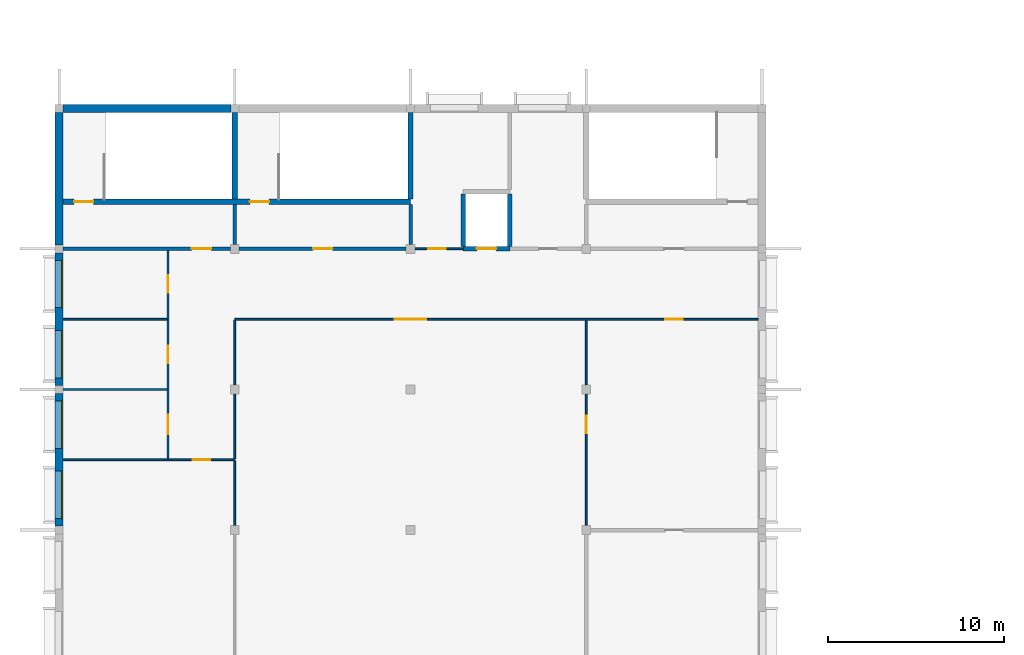
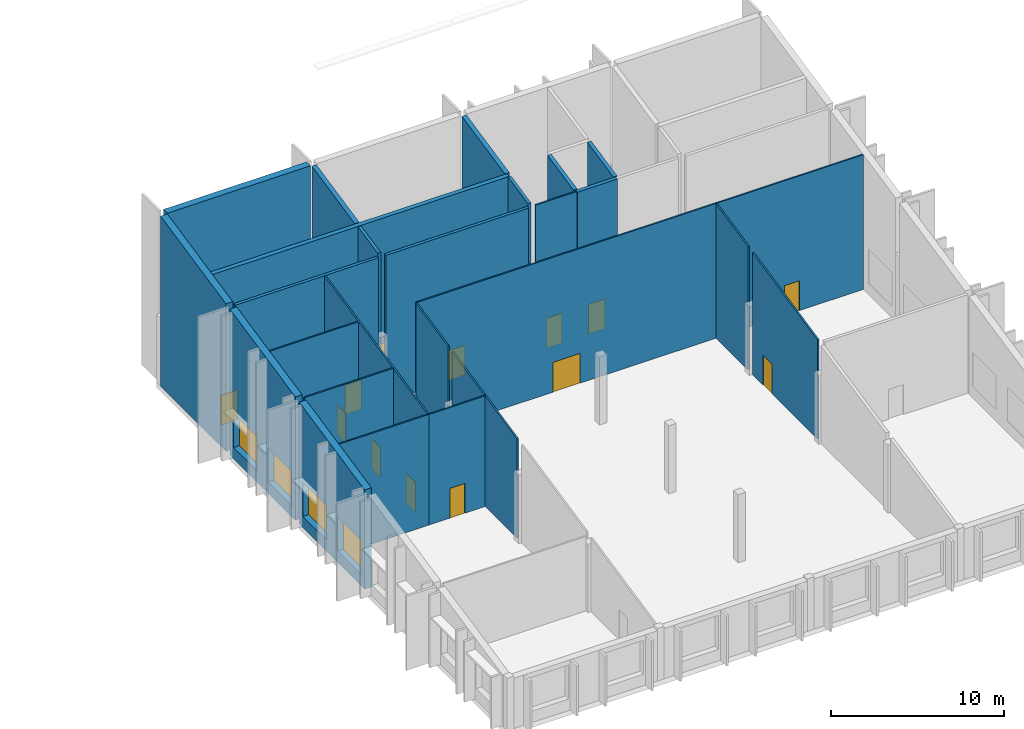
# One storey, part 39 of 69: 26 walls, 13 doors, 4 windows, 17 openings.
"""IFC4 building model written with IfcOpenShell, lengths in metres."""

from ifc_helpers import new_model, si_unit, direction, frame, frame_2d, origin, place, context, subcontext, project, spatial, polyline, rectangle, outline, extrude, material, layer, layer_set, type_object, element, fill, save


model = new_model("IFC4")

# Units and contexts
model_context = context("Model", 3, precision=1e-05, world=origin(), true_north=direction((0.0, 1.0)))
body_context = subcontext(model_context, "Body", "Model", "MODEL_VIEW")
ifc_project = project(units=[si_unit("LENGTHUNIT", "METRE"), si_unit("AREAUNIT", "SQUARE_METRE"), si_unit("VOLUMEUNIT", "CUBIC_METRE"), si_unit("PLANEANGLEUNIT", "RADIAN"), si_unit("MASSUNIT", "GRAM", prefix="KILO")], contexts=[model_context])

# Site, building, storey
site_placement = place(None, origin())
site = spatial("IfcSite", under=ifc_project, at=site_placement, CompositionType="ELEMENT")
building_placement = place(site_placement, origin())
building = spatial("IfcBuilding", under=site, at=building_placement, Name="Okhra Congress Centre", CompositionType="ELEMENT")
storey_placement = place(building_placement, frame((0.0, 0.0, 16.800048828125)))
storey = spatial("IfcBuildingStorey", under=building, at=storey_placement, Name="L03", CompositionType="ELEMENT", Elevation=16.800048828125)

# Wall, openings, windows
ifc_material_1 = material(Name="Insulated metal panel on steel stud (mineral wool, vapour barrier)", Category="steel")
ifc_layer_1 = layer(ifc_material_1, 0.449951171875)
ifc_layer_set_1 = layer_set([ifc_layer_1], Name="Insulated wall 450")
wall_type_1 = type_object("IfcWallType", Name="Insulated wall 450", PredefinedType="SOLIDWALL", material=ifc_layer_set_1)
wall_1_placement = place(storey_placement, frame((6.0, 67.77490234375, 0.0), z_axis=(0.0, 0.0, 1.0), x_axis=(0.0, -1.0, 0.0)))
wall_1 = element("IfcWall", 1, at=wall_1_placement, inside=storey, type_object=wall_type_1, Name="RS.WALL.L03.27", PredefinedType="SOLIDWALL", context=body_context, shape_type="SweptSolid", body=[
    extrude(outline(polyline([(0.0, 0.0), (7.5498046875, 0.0), (7.550048828125, 6.98974609375), (0.0, 8.5947265625), (0.0, 0.0)])), frame((0.0, 0.22509765625, 0.0), z_axis=(0.0, -1.0, 0.0), x_axis=(1.0, 0.0, 0.0)), (0.0, 0.0, 1.0), 0.449951171875),
])
opening_1_placement = place(wall_1_placement, frame((4.425048828125, 0.0, 0.800048828125)))
opening_1 = element("IfcOpeningElement", 2, at=opening_1_placement, cuts=wall_1, Name="Opening WN19", PredefinedType="OPENING", context=body_context, shape_type="SweptSolid", body=[
    extrude(rectangle(XDim=2.699951171875, YDim=2.39990234375, at=frame_2d((1.35009765625, 1.199951171875))), frame((0.0, 0.23486328125, 0.0), z_axis=(0.0, -1.0, 0.0), x_axis=(1.0, 0.0, 0.0)), (0.0, 0.0, 1.0), 0.469970703125),
])
opening_2_placement = place(wall_1_placement, frame((0.425048828125, 0.0, 0.800048828125)))
opening_2 = element("IfcOpeningElement", 3, at=opening_2_placement, cuts=wall_1, Name="Opening WN19", PredefinedType="OPENING", context=body_context, shape_type="SweptSolid", body=[
    extrude(rectangle(XDim=2.699951171875, YDim=2.39990234375, at=frame_2d((1.35009765625, 1.199951171875))), frame((0.0, 0.23486328125, 0.0), z_axis=(0.0, -1.0, 0.0), x_axis=(1.0, 0.0, 0.0)), (0.0, 0.0, 1.0), 0.469970703125),
])
ifc_material_2 = material(Name="Thermally broken aluminium frame, triple glazing", Category="aluminium")
window_type = type_object("IfcWindowType", Name="Fixed window 2700x2400", PartitioningType="SINGLE_PANEL", PredefinedType="WINDOW", material=ifc_material_2)
window_1_placement = place(opening_1_placement, origin())
window_1 = element("IfcWindow", 4, at=window_1_placement, inside=storey, type_object=window_type, Name="RS.WIN.L03.15", OverallHeight=2.39990234375, OverallWidth=2.699951171875, PartitioningType="SINGLE_PANEL", PredefinedType="WINDOW", context=body_context, shape_type="SweptSolid", body=[
    extrude(rectangle(XDim=2.699951171875, YDim=2.39990234375, at=frame_2d((1.35009765625, 1.199951171875))), frame((0.0, 0.215087890625, 0.0), z_axis=(0.0, -1.0, 0.0), x_axis=(1.0, 0.0, 0.0)), (0.0, 0.0, 1.0), 0.06005859375),
])
fill(opening_1, window_1)
window_2_placement = place(opening_2_placement, origin())
window_2 = element("IfcWindow", 5, at=window_2_placement, inside=storey, type_object=window_type, Name="RS.WIN.L03.16", OverallHeight=2.39990234375, OverallWidth=2.699951171875, PartitioningType="SINGLE_PANEL", PredefinedType="WINDOW", context=body_context, shape_type="SweptSolid", body=[
    extrude(rectangle(XDim=2.699951171875, YDim=2.39990234375, at=frame_2d((1.35009765625, 1.199951171875))), frame((0.0, 0.215087890625, 0.0), z_axis=(0.0, -1.0, 0.0), x_axis=(1.0, 0.0, 0.0)), (0.0, 0.0, 1.0), 0.06005859375),
])
fill(opening_2, window_2)

wall_2_placement = place(storey_placement, frame((6.0, 75.77490234375, 0.0), z_axis=(0.0, 0.0, 1.0), x_axis=(0.0, -1.0, 0.0)))
wall_2 = element("IfcWall", 6, at=wall_2_placement, inside=storey, type_object=wall_type_1, Name="RS.WALL.L03.28", PredefinedType="SOLIDWALL", context=body_context, shape_type="SweptSolid", body=[
    extrude(outline(polyline([(0.0, 0.0), (7.5498046875, 0.0), (7.550048828125, 8.690185546875), (0.0, 10.295166015625), (0.0, 0.0)])), frame((0.0, 0.22509765625, 0.0), z_axis=(0.0, -1.0, 0.0), x_axis=(1.0, 0.0, 0.0)), (0.0, 0.0, 1.0), 0.449951171875),
])
opening_3_placement = place(wall_2_placement, frame((4.425048828125, 0.0, 0.800048828125)))
opening_3 = element("IfcOpeningElement", 7, at=opening_3_placement, cuts=wall_2, Name="Opening WN19", PredefinedType="OPENING", context=body_context, shape_type="SweptSolid", body=[
    extrude(rectangle(XDim=2.699951171875, YDim=2.39990234375, at=frame_2d((1.35009765625, 1.199951171875))), frame((0.0, 0.23486328125, 0.0), z_axis=(0.0, -1.0, 0.0), x_axis=(1.0, 0.0, 0.0)), (0.0, 0.0, 1.0), 0.469970703125),
])
opening_4_placement = place(wall_2_placement, frame((0.425048828125, 0.0, 0.800048828125)))
opening_4 = element("IfcOpeningElement", 8, at=opening_4_placement, cuts=wall_2, Name="Opening WN19", PredefinedType="OPENING", context=body_context, shape_type="SweptSolid", body=[
    extrude(rectangle(XDim=2.699951171875, YDim=2.39990234375, at=frame_2d((1.35009765625, 1.199951171875))), frame((0.0, 0.23486328125, 0.0), z_axis=(0.0, -1.0, 0.0), x_axis=(1.0, 0.0, 0.0)), (0.0, 0.0, 1.0), 0.469970703125),
])
window_3_placement = place(opening_3_placement, origin())
window_3 = element("IfcWindow", 9, at=window_3_placement, inside=storey, type_object=window_type, Name="RS.WIN.L03.17", OverallHeight=2.39990234375, OverallWidth=2.699951171875, PartitioningType="SINGLE_PANEL", PredefinedType="WINDOW", context=body_context, shape_type="SweptSolid", body=[
    extrude(rectangle(XDim=2.699951171875, YDim=2.39990234375, at=frame_2d((1.35009765625, 1.199951171875))), frame((0.0, 0.215087890625, 0.0), z_axis=(0.0, -1.0, 0.0), x_axis=(1.0, 0.0, 0.0)), (0.0, 0.0, 1.0), 0.06005859375),
])
fill(opening_3, window_3)
window_4_placement = place(opening_4_placement, origin())
window_4 = element("IfcWindow", 10, at=window_4_placement, inside=storey, type_object=window_type, Name="RS.WIN.L03.18", OverallHeight=2.39990234375, OverallWidth=2.699951171875, PartitioningType="SINGLE_PANEL", PredefinedType="WINDOW", context=body_context, shape_type="SweptSolid", body=[
    extrude(rectangle(XDim=2.699951171875, YDim=2.39990234375, at=frame_2d((1.35009765625, 1.199951171875))), frame((0.0, 0.215087890625, 0.0), z_axis=(0.0, -1.0, 0.0), x_axis=(1.0, 0.0, 0.0)), (0.0, 0.0, 1.0), 0.06005859375),
])
fill(opening_4, window_4)

# Wall, opening, door
ifc_material_3 = material(Name="Masonry blockwork (aerated concrete D500)", Category="masonry")
ifc_layer_2 = layer(ifc_material_3, 0.199951171875)
ifc_layer_set_2 = layer_set([ifc_layer_2], Name="Masonry block wall 200 EI 45")
wall_type_2 = type_object("IfcWallType", Name="Masonry block wall 200 EI 45", PredefinedType="SOLIDWALL", material=ifc_layer_set_2)
wall_3_placement = place(storey_placement, frame((6.22509765625, 76.0, 0.0), z_axis=(0.0, 0.0, 1.0), x_axis=(1.0, 0.0, 0.0)))
wall_3 = element("IfcWall", 11, at=wall_3_placement, inside=storey, type_object=wall_type_2, Name="RS.WALL.L03.12", PredefinedType="SOLIDWALL", context=body_context, shape_type="SweptSolid", body=[
    extrude(rectangle(XDim=9.52490234375, YDim=0.199951171875, at=frame_2d((4.762451171875, 0.0))), origin(), (0.0, 0.0, 1.0), 10.3427734375),
])
opening_5_placement = place(wall_3_placement, frame((7.324951171875, 0.0, 0.0)))
opening_5 = element("IfcOpeningElement", 12, at=opening_5_placement, cuts=wall_3, Name="Opening L03-001", PredefinedType="OPENING", context=body_context, shape_type="SweptSolid", body=[
    extrude(rectangle(XDim=1.10009765625, YDim=2.10009765625, at=frame_2d((0.550048828125, 1.050048828125))), frame((0.0, 0.10986328125, 0.0), z_axis=(0.0, -1.0, 0.0), x_axis=(1.0, 0.0, 0.0)), (0.0, 0.0, 1.0), 0.219970703125),
])
ifc_material_4 = material(Name="Steel fire door leaf in steel frame, intumescent seals", Category="steel")
door_type_1 = type_object("IfcDoorType", Name="Steel fire door 1100x2100 EI 30", OperationType="NOTDEFINED", PredefinedType="DOOR", material=ifc_material_4)
door_1_placement = place(opening_5_placement, origin())
door_1 = element("IfcDoor", 13, at=door_1_placement, inside=storey, type_object=door_type_1, Name="Door L03-001", OperationType="SINGLE_SWING_LEFT", OverallHeight=2.10009765625, OverallWidth=1.10009765625, PredefinedType="DOOR", context=body_context, shape_type="SweptSolid", body=[
    extrude(rectangle(XDim=1.10009765625, YDim=2.10009765625, at=frame_2d((0.550048828125, 1.050048828125))), frame((0.0, 0.02490234375, 0.0), z_axis=(0.0, -1.0, 0.0), x_axis=(1.0, 0.0, 0.0)), (0.0, 0.0, 1.0), 0.050048828125),
])
fill(opening_5, door_1)

wall_4_placement = place(storey_placement, frame((16.25, 76.0, 0.0), z_axis=(0.0, 0.0, 1.0), x_axis=(1.0, 0.0, 0.0)))
wall_4 = element("IfcWall", 14, at=wall_4_placement, inside=storey, type_object=wall_type_2, Name="RS.WALL.L03.13", PredefinedType="SOLIDWALL", context=body_context, shape_type="SweptSolid", body=[
    extrude(rectangle(XDim=9.5, YDim=0.199951171875, at=frame_2d((4.75, 0.0))), origin(), (0.0, 0.0, 1.0), 10.3427734375),
])
opening_6_placement = place(wall_4_placement, frame((4.199951171875, 0.0, 0.0)))
opening_6 = element("IfcOpeningElement", 15, at=opening_6_placement, cuts=wall_4, Name="Opening L03-003", PredefinedType="OPENING", context=body_context, shape_type="SweptSolid", body=[
    extrude(rectangle(XDim=1.10009765625, YDim=2.10009765625, at=frame_2d((0.550048828125, 1.050048828125))), frame((0.0, 0.10986328125, 0.0), z_axis=(0.0, -1.0, 0.0), x_axis=(1.0, 0.0, 0.0)), (0.0, 0.0, 1.0), 0.219970703125),
])
door_2_placement = place(opening_6_placement, origin())
door_2 = element("IfcDoor", 16, at=door_2_placement, inside=storey, type_object=door_type_1, Name="Door L03-003", OperationType="SINGLE_SWING_LEFT", OverallHeight=2.10009765625, OverallWidth=1.10009765625, PredefinedType="DOOR", context=body_context, shape_type="SweptSolid", body=[
    extrude(rectangle(XDim=1.10009765625, YDim=2.10009765625, at=frame_2d((0.550048828125, 1.050048828125))), frame((0.0, 0.02490234375, 0.0), z_axis=(0.0, -1.0, 0.0), x_axis=(1.0, 0.0, 0.0)), (0.0, 0.0, 1.0), 0.050048828125),
])
fill(opening_6, door_2)

# Walls
for number, where, z_axis, x_axis, name in (
    (17, (16.0, 76.25, 0.0), (0.0, 0.0, 1.0), (0.0, 1.0, 0.0), "RS.WALL.L03.36"),
    (18, (26.0, 76.25, 0.0), (0.0, 0.0, 1.0), (0.0, 1.0, 0.0), "RS.WALL.L03.38"),
):
    element("IfcWall", number, at=place(storey_placement, frame(where, z_axis=z_axis, x_axis=x_axis)), inside=storey, type_object=wall_type_2, Name=name, PredefinedType="SOLIDWALL", context=body_context, shape_type="SweptSolid", body=[
        extrude(outline(polyline([(0.0, 0.0), (2.27490234375, 0.0), (2.27490234375, 10.879638671875), (0.0, 10.39599609375), (0.0, 0.0)])), frame((0.0, 0.10009765625, 0.0), z_axis=(0.0, -1.0, 0.0), x_axis=(1.0, 0.0, 0.0)), (0.0, 0.0, 1.0), 0.199951171875),
    ])
ifc_material_5 = material(Name="Gypsum board on steel studs", Category="steel")
ifc_layer_3 = layer(ifc_material_5, 0.10009765625)
ifc_layer_set_3 = layer_set([ifc_layer_3], Name="Partition 100 EI 15")
wall_type_3 = type_object("IfcWallType", Name="Partition 100 EI 15", PredefinedType="PARTITIONING", material=ifc_layer_set_3)
wall_5_placement = place(storey_placement, frame((6.22509765625, 64.0, 0.0), z_axis=(0.0, 0.0, 1.0), x_axis=(1.0, 0.0, 0.0)))
element("IfcWall", 19, at=wall_5_placement, inside=storey, type_object=wall_type_3, Name="RS.WALL.L03.7", PredefinedType="PARTITIONING", context=body_context, shape_type="SweptSolid", body=[
    extrude(rectangle(XDim=5.974853515625, YDim=0.10009765625, at=frame_2d((2.9873046875, 0.0))), origin(), (0.0, 0.0, 1.0), 7.792236328125),
])

# Wall, opening, door
wall_6_placement = place(storey_placement, frame((12.199951171875, 64.0, 0.0), z_axis=(0.0, 0.0, 1.0), x_axis=(1.0, 0.0, 0.0)))
wall_6 = element("IfcWall", 20, at=wall_6_placement, inside=storey, type_object=wall_type_3, Name="RS.WALL.L03.8", PredefinedType="PARTITIONING", context=body_context, shape_type="SweptSolid", body=[
    extrude(rectangle(XDim=3.800048828125, YDim=0.10009765625, at=frame_2d((1.89990234375, 0.0))), origin(), (0.0, 0.0, 1.0), 7.792236328125),
])
opening_7_placement = place(wall_6_placement, frame((1.39990234375, 0.0, 0.0)))
opening_7 = element("IfcOpeningElement", 21, at=opening_7_placement, cuts=wall_6, Name="Opening L03-010", PredefinedType="OPENING", context=body_context, shape_type="SweptSolid", body=[
    extrude(rectangle(XDim=1.0, YDim=2.10009765625, at=frame_2d((0.5, 1.050048828125))), frame((0.0, 0.06005859375, 0.0), z_axis=(0.0, -1.0, 0.0), x_axis=(1.0, 0.0, 0.0)), (0.0, 0.0, 1.0), 0.1201171875),
])
ifc_material_6 = material(Name="Timber door leaf in steel frame", Category="steel")
door_type_2 = type_object("IfcDoorType", Name="Single swing door 1000x2100", OperationType="NOTDEFINED", PredefinedType="DOOR", material=ifc_material_6)
door_3_placement = place(opening_7_placement, origin())
door_3 = element("IfcDoor", 22, at=door_3_placement, inside=storey, type_object=door_type_2, Name="Door L03-010", OperationType="SINGLE_SWING_RIGHT", OverallHeight=2.10009765625, OverallWidth=1.0, PredefinedType="DOOR", context=body_context, shape_type="SweptSolid", body=[
    extrude(rectangle(XDim=1.0, YDim=2.10009765625, at=frame_2d((0.5, 1.050048828125))), frame((0.0, 0.02490234375, 0.0), z_axis=(0.0, -1.0, 0.0), x_axis=(1.0, 0.0, 0.0)), (0.0, 0.0, 1.0), 0.050048828125),
])
fill(opening_7, door_3)

# Walls
wall_7_placement = place(storey_placement, frame((6.22509765625, 68.0, 0.0), z_axis=(0.0, 0.0, 1.0), x_axis=(1.0, 0.0, 0.0)))
element("IfcWall", 23, at=wall_7_placement, inside=storey, type_object=wall_type_3, Name="RS.WALL.L03.9", PredefinedType="PARTITIONING", context=body_context, shape_type="SweptSolid", body=[
    extrude(rectangle(XDim=5.9248046875, YDim=0.10009765625, at=frame_2d((2.96240234375, 0.0))), origin(), (0.0, 0.0, 1.0), 8.642333984375),
])
wall_8_placement = place(storey_placement, frame((6.22509765625, 72.0, 0.0), z_axis=(0.0, 0.0, 1.0), x_axis=(1.0, 0.0, 0.0)))
element("IfcWall", 24, at=wall_8_placement, inside=storey, type_object=wall_type_3, Name="RS.WALL.L03.10", PredefinedType="PARTITIONING", context=body_context, shape_type="SweptSolid", body=[
    extrude(rectangle(XDim=5.9248046875, YDim=0.10009765625, at=frame_2d((2.96240234375, 0.0))), origin(), (0.0, 0.0, 1.0), 9.49267578125),
])

# Wall, openings, doors
wall_9_placement = place(storey_placement, frame((16.0, 72.0, 0.0), z_axis=(0.0, 0.0, 1.0), x_axis=(1.0, 0.0, 0.0)))
wall_9 = element("IfcWall", 25, at=wall_9_placement, inside=storey, type_object=wall_type_3, Name="RS.WALL.L03.11", PredefinedType="PARTITIONING", context=body_context, shape_type="SweptSolid", body=[
    extrude(rectangle(XDim=29.77490234375, YDim=0.10009765625, at=frame_2d((14.887451171875, 0.0))), origin(), (0.0, 0.0, 1.0), 9.49267578125),
])
opening_8_placement = place(wall_9_placement, frame((9.10009765625, 0.0, 0.0)))
opening_8 = element("IfcOpeningElement", 26, at=opening_8_placement, cuts=wall_9, Name="Opening L03-012", PredefinedType="OPENING", context=body_context, shape_type="SweptSolid", body=[
    extrude(rectangle(XDim=1.800048828125, YDim=2.10009765625, at=frame_2d((0.89990234375, 1.050048828125))), frame((0.0, 0.06005859375, 0.0), z_axis=(0.0, -1.0, 0.0), x_axis=(1.0, 0.0, 0.0)), (0.0, 0.0, 1.0), 0.1201171875),
])
opening_9_placement = place(wall_9_placement, frame((24.5, 0.0, 0.0)))
opening_9 = element("IfcOpeningElement", 27, at=opening_9_placement, cuts=wall_9, Name="Opening L03-014", PredefinedType="OPENING", context=body_context, shape_type="SweptSolid", body=[
    extrude(rectangle(XDim=1.0, YDim=2.10009765625, at=frame_2d((0.5, 1.050048828125))), frame((0.0, 0.06005859375, 0.0), z_axis=(0.0, -1.0, 0.0), x_axis=(1.0, 0.0, 0.0)), (0.0, 0.0, 1.0), 0.1201171875),
])
ifc_material_7 = material(Name="Timber door leaves in steel frame", Category="steel")
door_type_3 = type_object("IfcDoorType", Name="Double swing door 1800x2100", OperationType="NOTDEFINED", PredefinedType="DOOR", material=ifc_material_7)
door_4_placement = place(opening_8_placement, origin())
door_4 = element("IfcDoor", 28, at=door_4_placement, inside=storey, type_object=door_type_3, Name="Door L03-012", OperationType="DOUBLE_DOOR_SINGLE_SWING", OverallHeight=2.10009765625, OverallWidth=1.800048828125, PredefinedType="DOOR", context=body_context, shape_type="SweptSolid", body=[
    extrude(rectangle(XDim=1.800048828125, YDim=2.10009765625, at=frame_2d((0.89990234375, 1.050048828125))), frame((0.0, 0.02490234375, 0.0), z_axis=(0.0, -1.0, 0.0), x_axis=(1.0, 0.0, 0.0)), (0.0, 0.0, 1.0), 0.050048828125),
])
fill(opening_8, door_4)
door_5_placement = place(opening_9_placement, origin())
door_5 = element("IfcDoor", 29, at=door_5_placement, inside=storey, type_object=door_type_2, Name="Door L03-014", OperationType="SINGLE_SWING_RIGHT", OverallHeight=2.10009765625, OverallWidth=1.0, PredefinedType="DOOR", context=body_context, shape_type="SweptSolid", body=[
    extrude(rectangle(XDim=1.0, YDim=2.10009765625, at=frame_2d((0.5, 1.050048828125))), frame((0.0, 0.02490234375, 0.0), z_axis=(0.0, -1.0, 0.0), x_axis=(1.0, 0.0, 0.0)), (0.0, 0.0, 1.0), 0.050048828125),
])
fill(opening_9, door_5)

# Wall, opening, door
wall_10_placement = place(storey_placement, frame((26.25, 76.0, 0.0), z_axis=(0.0, 0.0, 1.0), x_axis=(1.0, 0.0, 0.0)))
wall_10 = element("IfcWall", 30, at=wall_10_placement, inside=storey, type_object=wall_type_3, Name="RS.WALL.L03.14", PredefinedType="PARTITIONING", context=body_context, shape_type="SweptSolid", body=[
    extrude(rectangle(XDim=2.75, YDim=0.10009765625, at=frame_2d((1.375, 0.0))), origin(), (0.0, 0.0, 1.0), 10.3427734375),
])
opening_10_placement = place(wall_10_placement, frame((0.75, 0.0, 0.0)))
opening_10 = element("IfcOpeningElement", 31, at=opening_10_placement, cuts=wall_10, Name="Opening L03-016", PredefinedType="OPENING", context=body_context, shape_type="SweptSolid", body=[
    extrude(rectangle(XDim=1.0, YDim=2.10009765625, at=frame_2d((0.5, 1.050048828125))), frame((0.0, 0.06005859375, 0.0), z_axis=(0.0, -1.0, 0.0), x_axis=(1.0, 0.0, 0.0)), (0.0, 0.0, 1.0), 0.1201171875),
])
door_6_placement = place(opening_10_placement, frame((1.0, 0.0, 0.0), z_axis=(0.0, 0.0, 1.0), x_axis=(-1.0, 0.0, 0.0)))
door_6 = element("IfcDoor", 32, at=door_6_placement, inside=storey, type_object=door_type_2, Name="Door L03-016", OperationType="SINGLE_SWING_LEFT", OverallHeight=2.10009765625, OverallWidth=1.0, PredefinedType="DOOR", context=body_context, shape_type="SweptSolid", body=[
    extrude(rectangle(XDim=1.0, YDim=2.10009765625, at=frame_2d((0.5, 1.050048828125))), frame((0.0, 0.02490234375, 0.0), z_axis=(0.0, -1.0, 0.0), x_axis=(1.0, 0.0, 0.0)), (0.0, 0.0, 1.0), 0.050048828125),
])
fill(opening_10, door_6)

# Wall, openings, doors
wall_11_placement = place(storey_placement, frame((12.199951171875, 64.050048828125, 0.0), z_axis=(0.0, 0.0, 1.0), x_axis=(0.0, 1.0, 0.0)))
wall_11 = element("IfcWall", 33, at=wall_11_placement, inside=storey, type_object=wall_type_3, Name="RS.WALL.L03.30", PredefinedType="PARTITIONING", context=body_context, shape_type="SweptSolid", body=[
    extrude(outline(polyline([(0.0, 0.0), (11.849853515625, 0.0), (11.85009765625, 10.321533203125), (0.0, 7.802734375), (0.0, 0.0)])), frame((0.0, 0.050048828125, 0.0), z_axis=(0.0, -1.0, 0.0), x_axis=(1.0, 0.0, 0.0)), (0.0, 0.0, 1.0), 0.10009765625),
])
opening_11_placement = place(wall_11_placement, frame((1.39990234375, 0.0, 0.0)))
opening_11 = element("IfcOpeningElement", 34, at=opening_11_placement, cuts=wall_11, Name="Opening L03-007", PredefinedType="OPENING", context=body_context, shape_type="SweptSolid", body=[
    extrude(rectangle(XDim=1.10009765625, YDim=2.10009765625, at=frame_2d((0.550048828125, 1.050048828125))), frame((0.0, 0.06005859375, 0.0), z_axis=(0.0, -1.0, 0.0), x_axis=(1.0, 0.0, 0.0)), (0.0, 0.0, 1.0), 0.1201171875),
])
opening_12_placement = place(wall_11_placement, frame((5.449951171875, 0.0, 0.0)))
opening_12 = element("IfcOpeningElement", 35, at=opening_12_placement, cuts=wall_11, Name="Opening L03-008", PredefinedType="OPENING", context=body_context, shape_type="SweptSolid", body=[
    extrude(rectangle(XDim=1.0, YDim=2.10009765625, at=frame_2d((0.5, 1.050048828125))), frame((0.0, 0.06005859375, 0.0), z_axis=(0.0, -1.0, 0.0), x_axis=(1.0, 0.0, 0.0)), (0.0, 0.0, 1.0), 0.1201171875),
])
opening_13_placement = place(wall_11_placement, frame((9.449951171875, 0.0, 0.0)))
opening_13 = element("IfcOpeningElement", 36, at=opening_13_placement, cuts=wall_11, Name="Opening L03-009", PredefinedType="OPENING", context=body_context, shape_type="SweptSolid", body=[
    extrude(rectangle(XDim=1.0, YDim=2.10009765625, at=frame_2d((0.5, 1.050048828125))), frame((0.0, 0.06005859375, 0.0), z_axis=(0.0, -1.0, 0.0), x_axis=(1.0, 0.0, 0.0)), (0.0, 0.0, 1.0), 0.1201171875),
])
door_7_placement = place(opening_12_placement, frame((1.0, 0.0, 0.0), z_axis=(0.0, 0.0, 1.0), x_axis=(-1.0, 0.0, 0.0)))
door_7 = element("IfcDoor", 37, at=door_7_placement, inside=storey, type_object=door_type_2, Name="Door L03-008", OperationType="SINGLE_SWING_LEFT", OverallHeight=2.10009765625, OverallWidth=1.0, PredefinedType="DOOR", context=body_context, shape_type="SweptSolid", body=[
    extrude(rectangle(XDim=1.0, YDim=2.10009765625, at=frame_2d((0.5, 1.050048828125))), frame((0.0, 0.02490234375, 0.0), z_axis=(0.0, -1.0, 0.0), x_axis=(1.0, 0.0, 0.0)), (0.0, 0.0, 1.0), 0.050048828125),
])
fill(opening_12, door_7)
door_8_placement = place(opening_13_placement, frame((1.0, 0.0, 0.0), z_axis=(0.0, 0.0, 1.0), x_axis=(-1.0, 0.0, 0.0)))
door_8 = element("IfcDoor", 38, at=door_8_placement, inside=storey, type_object=door_type_2, Name="Door L03-009", OperationType="SINGLE_SWING_RIGHT", OverallHeight=2.10009765625, OverallWidth=1.0, PredefinedType="DOOR", context=body_context, shape_type="SweptSolid", body=[
    extrude(rectangle(XDim=1.0, YDim=2.10009765625, at=frame_2d((0.5, 1.050048828125))), frame((0.0, 0.02490234375, 0.0), z_axis=(0.0, -1.0, 0.0), x_axis=(1.0, 0.0, 0.0)), (0.0, 0.0, 1.0), 0.050048828125),
])
fill(opening_13, door_8)
door_type_4 = type_object("IfcDoorType", Name="Single swing door 1100x2100", OperationType="NOTDEFINED", PredefinedType="DOOR", material=ifc_material_6)
door_9_placement = place(opening_11_placement, frame((1.10009765625, 0.0, 0.0), z_axis=(0.0, 0.0, 1.0), x_axis=(-1.0, 0.0, 0.0)))
door_9 = element("IfcDoor", 39, at=door_9_placement, inside=storey, type_object=door_type_4, Name="Door L03-007", OperationType="SINGLE_SWING_RIGHT", OverallHeight=2.10009765625, OverallWidth=1.10009765625, PredefinedType="DOOR", context=body_context, shape_type="SweptSolid", body=[
    extrude(rectangle(XDim=1.10009765625, YDim=2.10009765625, at=frame_2d((0.550048828125, 1.050048828125))), frame((0.0, 0.02490234375, 0.0), z_axis=(0.0, -1.0, 0.0), x_axis=(1.0, 0.0, 0.0)), (0.0, 0.0, 1.0), 0.050048828125),
])
fill(opening_11, door_9)

# Walls
wall_12_placement = place(storey_placement, frame((16.0, 60.25, 0.0), z_axis=(0.0, 0.0, 1.0), x_axis=(0.0, 1.0, 0.0)))
element("IfcWall", 40, at=wall_12_placement, inside=storey, type_object=wall_type_3, Name="RS.WALL.L03.33", PredefinedType="PARTITIONING", context=body_context, shape_type="SweptSolid", body=[
    extrude(outline(polyline([(0.0, 0.0), (3.699951171875, 0.0), (3.699951171875, 7.781494140625), (0.0, 6.9951171875), (0.0, 0.0)])), frame((0.0, 0.050048828125, 0.0), z_axis=(0.0, -1.0, 0.0), x_axis=(1.0, 0.0, 0.0)), (0.0, 0.0, 1.0), 0.10009765625),
])
wall_13_placement = place(storey_placement, frame((16.0, 64.050048828125, 0.0), z_axis=(0.0, 0.0, 1.0), x_axis=(0.0, 1.0, 0.0)))
element("IfcWall", 41, at=wall_13_placement, inside=storey, type_object=wall_type_3, Name="RS.WALL.L03.34", PredefinedType="PARTITIONING", context=body_context, shape_type="SweptSolid", body=[
    extrude(outline(polyline([(0.0, 0.0), (3.699951171875, 0.0), (3.699951171875, 8.58935546875), (0.0, 7.802734375), (0.0, 0.0)])), frame((0.0, 0.050048828125, 0.0), z_axis=(0.0, -1.0, 0.0), x_axis=(1.0, 0.0, 0.0)), (0.0, 0.0, 1.0), 0.10009765625),
])
wall_14_placement = place(storey_placement, frame((16.0, 68.25, 0.0), z_axis=(0.0, 0.0, 1.0), x_axis=(0.0, 1.0, 0.0)))
element("IfcWall", 42, at=wall_14_placement, inside=storey, type_object=wall_type_3, Name="RS.WALL.L03.35", PredefinedType="PARTITIONING", context=body_context, shape_type="SweptSolid", body=[
    extrude(outline(polyline([(0.0, 0.0), (3.699951171875, 0.0), (3.699951171875, 9.48193359375), (0.0, 8.695556640625), (0.0, 0.0)])), frame((0.0, 0.050048828125, 0.0), z_axis=(0.0, -1.0, 0.0), x_axis=(1.0, 0.0, 0.0)), (0.0, 0.0, 1.0), 0.10009765625),
])

# Wall, opening, door
wall_15_placement = place(storey_placement, frame((36.0, 60.25, 0.0), z_axis=(0.0, 0.0, 1.0), x_axis=(0.0, 1.0, 0.0)))
wall_15 = element("IfcWall", 43, at=wall_15_placement, inside=storey, type_object=wall_type_3, Name="RS.WALL.L03.45", PredefinedType="PARTITIONING", context=body_context, shape_type="SweptSolid", body=[
    extrude(outline(polyline([(0.0, 0.0), (7.5, 0.0), (7.5, 8.58935546875), (0.0, 6.9951171875), (0.0, 0.0)])), frame((0.0, 0.050048828125, 0.0), z_axis=(0.0, -1.0, 0.0), x_axis=(1.0, 0.0, 0.0)), (0.0, 0.0, 1.0), 0.10009765625),
])
opening_14_placement = place(wall_15_placement, frame((5.25, 0.0, 0.0)))
opening_14 = element("IfcOpeningElement", 44, at=opening_14_placement, cuts=wall_15, Name="Opening L03-013", PredefinedType="OPENING", context=body_context, shape_type="SweptSolid", body=[
    extrude(rectangle(XDim=1.0, YDim=2.10009765625, at=frame_2d((0.5, 1.050048828125))), frame((0.0, 0.06005859375, 0.0), z_axis=(0.0, -1.0, 0.0), x_axis=(1.0, 0.0, 0.0)), (0.0, 0.0, 1.0), 0.1201171875),
])
door_10_placement = place(opening_14_placement, origin())
door_10 = element("IfcDoor", 45, at=door_10_placement, inside=storey, type_object=door_type_2, Name="Door L03-013", OperationType="SINGLE_SWING_LEFT", OverallHeight=2.10009765625, OverallWidth=1.0, PredefinedType="DOOR", context=body_context, shape_type="SweptSolid", body=[
    extrude(rectangle(XDim=1.0, YDim=2.10009765625, at=frame_2d((0.5, 1.050048828125))), frame((0.0, 0.02490234375, 0.0), z_axis=(0.0, -1.0, 0.0), x_axis=(1.0, 0.0, 0.0)), (0.0, 0.0, 1.0), 0.050048828125),
])
fill(opening_14, door_10)

# Wall
wall_16_placement = place(storey_placement, frame((36.0, 68.25, 0.0), z_axis=(0.0, 0.0, 1.0), x_axis=(0.0, 1.0, 0.0)))
element("IfcWall", 46, at=wall_16_placement, inside=storey, type_object=wall_type_3, Name="RS.WALL.L03.46", PredefinedType="PARTITIONING", context=body_context, shape_type="SweptSolid", body=[
    extrude(outline(polyline([(0.0, 0.0), (3.699951171875, 0.0), (3.699951171875, 9.48193359375), (0.0, 8.695556640625), (0.0, 0.0)])), frame((0.0, 0.050048828125, 0.0), z_axis=(0.0, -1.0, 0.0), x_axis=(1.0, 0.0, 0.0)), (0.0, 0.0, 1.0), 0.10009765625),
])

# Wall, openings, doors
ifc_material_8 = material(Name="Concrete C35/45", Category="concrete")
ifc_layer_4 = layer(ifc_material_8, 0.300048828125)
ifc_layer_set_4 = layer_set([ifc_layer_4], Name="RC core wall 300 REI 120 C35/45")
wall_type_4 = type_object("IfcWallType", Name="RC core wall 300 REI 120 C35/45", PredefinedType="SHEAR", material=ifc_layer_set_4)
wall_17_placement = place(storey_placement, frame((6.22509765625, 78.675048828125, 0.0), z_axis=(0.0, 0.0, 1.0), x_axis=(1.0, 0.0, 0.0)))
wall_17 = element("IfcWall", 47, at=wall_17_placement, inside=storey, type_object=wall_type_4, Name="RS.WALL.L03.18", PredefinedType="SHEAR", context=body_context, shape_type="SweptSolid", body=[
    extrude(rectangle(XDim=19.77490234375, YDim=0.300048828125, at=frame_2d((9.887451171875, 0.0))), origin(), (0.0, 0.0, 1.0), 10.911376953125),
])
opening_15_placement = place(wall_17_placement, frame((0.625, 0.0, 0.0)))
opening_15 = element("IfcOpeningElement", 48, at=opening_15_placement, cuts=wall_17, Name="Opening L03-002", PredefinedType="OPENING", context=body_context, shape_type="SweptSolid", body=[
    extrude(rectangle(XDim=1.10009765625, YDim=2.10009765625, at=frame_2d((0.550048828125, 1.050048828125))), frame((0.0, 0.159912109375, 0.0), z_axis=(0.0, -1.0, 0.0), x_axis=(1.0, 0.0, 0.0)), (0.0, 0.0, 1.0), 0.320068359375),
])
opening_16_placement = place(wall_17_placement, frame((10.625, 0.0, 0.0)))
opening_16 = element("IfcOpeningElement", 49, at=opening_16_placement, cuts=wall_17, Name="Opening L03-004", PredefinedType="OPENING", context=body_context, shape_type="SweptSolid", body=[
    extrude(rectangle(XDim=1.10009765625, YDim=2.10009765625, at=frame_2d((0.550048828125, 1.050048828125))), frame((0.0, 0.159912109375, 0.0), z_axis=(0.0, -1.0, 0.0), x_axis=(1.0, 0.0, 0.0)), (0.0, 0.0, 1.0), 0.320068359375),
])
door_11_placement = place(opening_15_placement, origin())
door_11 = element("IfcDoor", 50, at=door_11_placement, inside=storey, type_object=door_type_1, Name="Door L03-002", OperationType="SINGLE_SWING_RIGHT", OverallHeight=2.10009765625, OverallWidth=1.10009765625, PredefinedType="DOOR", context=body_context, shape_type="SweptSolid", body=[
    extrude(rectangle(XDim=1.10009765625, YDim=2.10009765625, at=frame_2d((0.550048828125, 1.050048828125))), frame((0.0, 0.02490234375, 0.0), z_axis=(0.0, -1.0, 0.0), x_axis=(1.0, 0.0, 0.0)), (0.0, 0.0, 1.0), 0.050048828125),
])
fill(opening_15, door_11)
door_12_placement = place(opening_16_placement, origin())
door_12 = element("IfcDoor", 51, at=door_12_placement, inside=storey, type_object=door_type_1, Name="Door L03-004", OperationType="SINGLE_SWING_RIGHT", OverallHeight=2.10009765625, OverallWidth=1.10009765625, PredefinedType="DOOR", context=body_context, shape_type="SweptSolid", body=[
    extrude(rectangle(XDim=1.10009765625, YDim=2.10009765625, at=frame_2d((0.550048828125, 1.050048828125))), frame((0.0, 0.02490234375, 0.0), z_axis=(0.0, -1.0, 0.0), x_axis=(1.0, 0.0, 0.0)), (0.0, 0.0, 1.0), 0.050048828125),
])
fill(opening_16, door_12)

# Walls
for number, where, z_axis, x_axis, name in (
    (52, (16.0, 78.824951171875, 0.0), (0.0, 0.0, 1.0), (0.0, 1.0, 0.0), "RS.WALL.L03.37"),
    (53, (26.0, 78.824951171875, 0.0), (0.0, 0.0, 1.0), (0.0, 1.0, 0.0), "RS.WALL.L03.39"),
):
    element("IfcWall", number, at=place(storey_placement, frame(where, z_axis=z_axis, x_axis=x_axis)), inside=storey, type_object=wall_type_4, Name=name, PredefinedType="SHEAR", context=body_context, shape_type="SweptSolid", body=[
        extrude(outline(polyline([(0.0, 0.0), (4.949951171875, 0.0), (4.949951171875, 11.99560546875), (0.0, 10.943359375), (0.0, 0.0)])), frame((0.0, 0.14990234375, 0.0), z_axis=(0.0, -1.0, 0.0), x_axis=(1.0, 0.0, 0.0)), (0.0, 0.0, 1.0), 0.300048828125),
    ])
ifc_material_9 = material(Name="Concrete C30/37", Category="concrete")
ifc_layer_5 = layer(ifc_material_9, 0.449951171875)
ifc_layer_set_5 = layer_set([ifc_layer_5], Name="RC facade wall 450 REI 120 C30/37")
wall_type_5 = type_object("IfcWallType", Name="RC facade wall 450 REI 120 C30/37", PredefinedType="SOLIDWALL", material=ifc_layer_set_5)
wall_18_placement = place(storey_placement, frame((15.77490234375, 84.0, 0.0), z_axis=(0.0, 0.0, 1.0), x_axis=(-1.0, 0.0, 0.0)))
element("IfcWall", 54, at=wall_18_placement, inside=storey, type_object=wall_type_5, Name="RS.WALL.L03.21", PredefinedType="SOLIDWALL", context=body_context, shape_type="SweptSolid", body=[
    extrude(rectangle(XDim=9.5498046875, YDim=0.449951171875, at=frame_2d((4.77490234375, 0.0))), origin(), (0.0, 0.0, 1.0), 12.04345703125),
])
wall_19_placement = place(storey_placement, frame((6.0, 83.77490234375, 0.0), z_axis=(0.0, 0.0, 1.0), x_axis=(0.0, -1.0, 0.0)))
element("IfcWall", 55, at=wall_19_placement, inside=storey, type_object=wall_type_5, Name="RS.WALL.L03.29", PredefinedType="SOLIDWALL", context=body_context, shape_type="SweptSolid", body=[
    extrude(outline(polyline([(0.0, 0.0), (7.5498046875, 0.0), (7.550048828125, 10.390625), (0.0, 11.99560546875), (0.0, 0.0)])), frame((0.0, 0.22509765625, 0.0), z_axis=(0.0, -1.0, 0.0), x_axis=(1.0, 0.0, 0.0)), (0.0, 0.0, 1.0), 0.449951171875),
])

# Wall, opening, door
ifc_layer_6 = layer(ifc_material_9, 0.25)
ifc_layer_set_6 = layer_set([ifc_layer_6], Name="RC wall 250 REI 120 C30/37")
wall_type_6 = type_object("IfcWallType", Name="RC wall 250 REI 120 C30/37", PredefinedType="SOLIDWALL", material=ifc_layer_set_6)
wall_20_placement = place(storey_placement, frame((29.0, 76.0, 0.0), z_axis=(0.0, 0.0, 1.0), x_axis=(1.0, 0.0, 0.0)))
wall_20 = element("IfcWall", 56, at=wall_20_placement, inside=storey, type_object=wall_type_6, Name="RS.WALL.L03.15", PredefinedType="SOLIDWALL", context=body_context, shape_type="SweptSolid", body=[
    extrude(rectangle(XDim=2.64990234375, YDim=0.25, at=frame_2d((1.324951171875, 0.0))), origin(), (0.0, 0.0, 1.0), 10.3427734375),
])
opening_17_placement = place(wall_20_placement, frame((0.77490234375, 0.0, 0.0)))
opening_17 = element("IfcOpeningElement", 57, at=opening_17_placement, cuts=wall_20, Name="Opening L03-018", PredefinedType="OPENING", context=body_context, shape_type="SweptSolid", body=[
    extrude(rectangle(XDim=1.10009765625, YDim=2.10009765625, at=frame_2d((0.550048828125, 1.050048828125))), frame((0.0, 0.135009765625, 0.0), z_axis=(0.0, -1.0, 0.0), x_axis=(1.0, 0.0, 0.0)), (0.0, 0.0, 1.0), 0.27001953125),
])
ifc_material_10 = material(Name="Stainless steel sliding landing door leaves", Category="steel")
door_type_5 = type_object("IfcDoorType", Name="Lift landing door 1100x2100 EI 30", OperationType="DOUBLE_DOOR_SLIDING", PredefinedType="DOOR", material=ifc_material_10)
door_13_placement = place(opening_17_placement, frame((1.10009765625, 0.0, 0.0), z_axis=(0.0, 0.0, 1.0), x_axis=(-1.0, 0.0, 0.0)))
door_13 = element("IfcDoor", 58, at=door_13_placement, inside=storey, type_object=door_type_5, Name="Door L03-018", OperationType="DOUBLE_DOOR_SLIDING", OverallHeight=2.10009765625, OverallWidth=1.10009765625, PredefinedType="DOOR", context=body_context, shape_type="SweptSolid", body=[
    extrude(rectangle(XDim=1.10009765625, YDim=2.10009765625, at=frame_2d((0.550048828125, 1.050048828125))), frame((0.0, 0.02490234375, 0.0), z_axis=(0.0, -1.0, 0.0), x_axis=(1.0, 0.0, 0.0)), (0.0, 0.0, 1.0), 0.050048828125),
])
fill(opening_17, door_13)

# Walls
for number, where, z_axis, x_axis, name in (
    (59, (29.0, 76.125, 0.0), (0.0, 0.0, 1.0), (0.0, 1.0, 0.0), "RS.WALL.L03.40"),
    (60, (31.64990234375, 76.125, 0.0), (0.0, 0.0, 1.0), (0.0, 1.0, 0.0), "RS.WALL.L03.41"),
):
    element("IfcWall", number, at=place(storey_placement, frame(where, z_axis=z_axis, x_axis=x_axis)), inside=storey, type_object=wall_type_6, Name=name, PredefinedType="SOLIDWALL", context=body_context, shape_type="SweptSolid", body=[
        extrude(outline(polyline([(0.0, 0.0), (3.0, 0.0), (3.0, 11.007080078125), (0.0, 10.369384765625), (0.0, 0.0)])), frame((0.0, 0.125, 0.0), z_axis=(0.0, -1.0, 0.0), x_axis=(1.0, 0.0, 0.0)), (0.0, 0.0, 1.0), 0.25),
    ])

save(model, "model.ifc")
